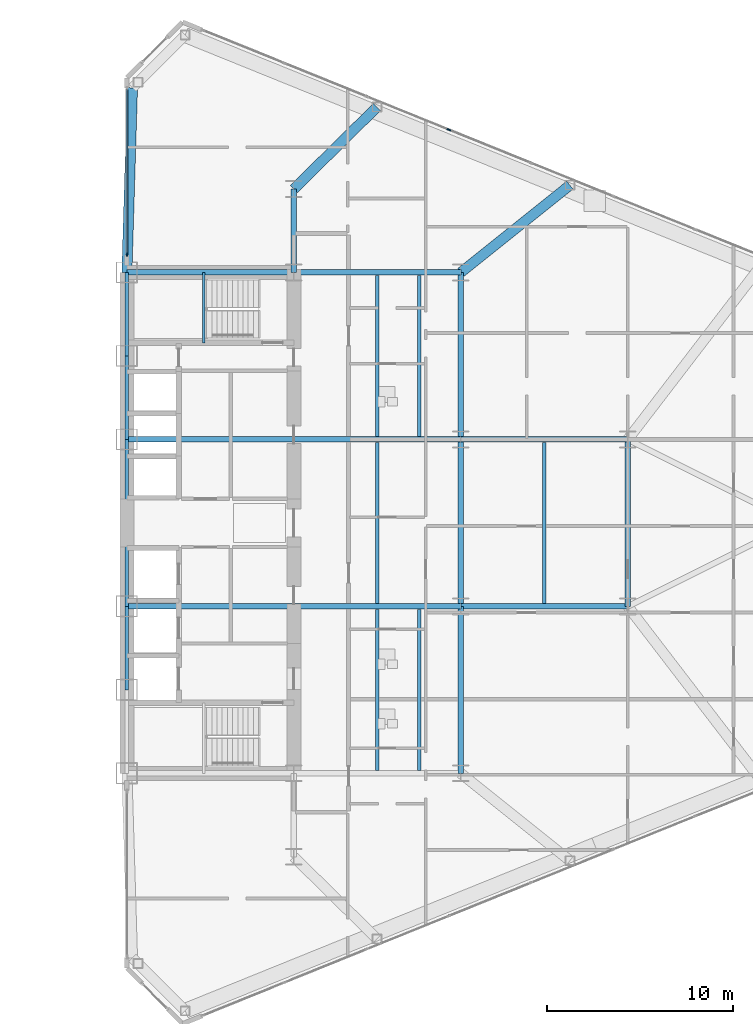
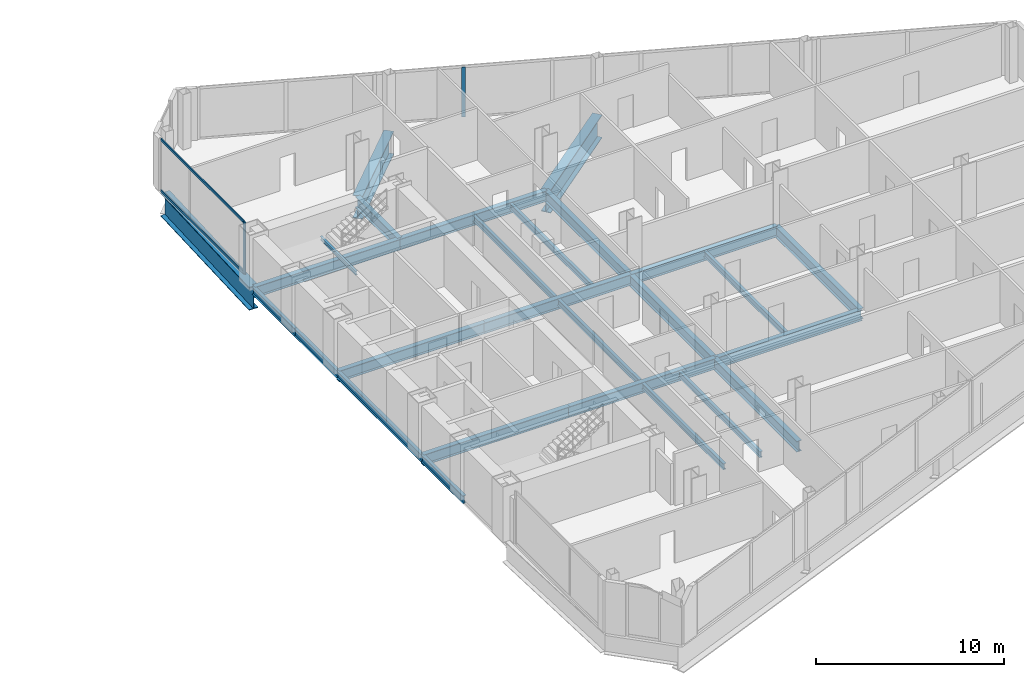
# One storey, part 12 of 26: 27 beams, 4 members, 2 elements without a shape of their own.
"""IFC4 building model written with IfcOpenShell, lengths in metres."""

from ifc_helpers import new_model, si_unit, direction, frame, origin, origin_2d, place, context, subcontext, project, spatial, rectangle, i_section, extrude, source, transform, mapped, material, layer, layer_set, material_profile, profile_set, type_object, type_shapes, element, aggregate, save


model = new_model("IFC4")

# Units and contexts
model_context = context("Model", 3, precision=1e-05, world=origin(), true_north=direction((0.0, 1.0)))
body_context = subcontext(model_context, "Body", "Model", "MODEL_VIEW")
ifc_project = project(units=[si_unit("LENGTHUNIT", "METRE"), si_unit("AREAUNIT", "SQUARE_METRE"), si_unit("VOLUMEUNIT", "CUBIC_METRE"), si_unit("PLANEANGLEUNIT", "RADIAN"), si_unit("MASSUNIT", "GRAM", prefix="KILO")], contexts=[model_context])

# Site, building, storey
site_placement = place(None, origin())
site = spatial("IfcSite", under=ifc_project, at=site_placement, CompositionType="ELEMENT")
building_placement = place(site_placement, origin())
building = spatial("IfcBuilding", under=site, at=building_placement, Name="Seokmaru Belvedere", CompositionType="ELEMENT")
storey_placement = place(building_placement, frame((0.0, 0.0, 18.89990234375)))
storey = spatial("IfcBuildingStorey", under=building, at=storey_placement, Name="L04", CompositionType="ELEMENT", Elevation=18.89990234375)

# Beams
ifc_material_1 = material(Name="Steel SM355 (355 MPa)", Category="steel")
ifc_material_profile_1 = material_profile(ifc_material_1, i_section(OverallWidth=0.199951171875, OverallDepth=0.5, WebThickness=0.010009765625, FlangeThickness=0.01611328125, at=origin_2d()), Name="H-500x200x10x16")
ifc_profile_set_1 = profile_set([ifc_material_profile_1], Name="Steel SM355 (355 MPa)")
beam_type_1 = type_object("IfcBeamType", Name="Perimeter Spandrel Beam H-500", PredefinedType="SPANDREL", material=ifc_profile_set_1)
shared_shape_1 = source(origin(), body_context, "Body", "SweptSolid", [
    extrude(i_section(OverallWidth=0.199951171875, OverallDepth=0.5, WebThickness=0.010009765625, FlangeThickness=0.01611328125, at=origin_2d()), origin(), (0.0, 0.0, 1.0), 4.5),
])
for number, where, z_axis, x_axis, name in (
    (1, (27.5, -9.0, -0.469970703125), (0.0, 1.0, 0.0), (-1.0, 0.0, 0.0), "L04 E Portal Spine Spandrel 2"),
    (2, (27.5, 4.5, -0.469970703125), (0.0, 1.0, 0.0), (-1.0, 0.0, 0.0), "L04 E Portal Spine Spandrel 4"),
    (3, (27.5, 9.0, -0.469970703125), (0.0, 1.0, 0.0), (-1.0, 0.0, 0.0), "L04 E Portal Spine Spandrel 5"),
):
    element("IfcBeam", number, at=place(storey_placement, frame(where, z_axis=z_axis, x_axis=x_axis)), inside=storey, type_object=beam_type_1, Name=name, PredefinedType="SPANDREL", context=body_context, shape_type="MappedRepresentation", body=[
        mapped(shared_shape_1, transform((0.0, 0.0, 0.0), scale=1.0)),
    ])
shared_shape_2 = source(origin(), body_context, "Body", "SweptSolid", [
    extrude(i_section(OverallWidth=0.199951171875, OverallDepth=0.5, WebThickness=0.010009765625, FlangeThickness=0.01611328125, at=origin_2d()), origin(), (0.0, 0.0, 1.0), 9.0),
])
type_shapes(beam_type_1, [shared_shape_1, shared_shape_2])
beam_1_placement = place(storey_placement, frame((27.5, -4.5, -0.469970703125), z_axis=(0.0, 1.0, 0.0), x_axis=(-1.0, 0.0, 0.0)))
element("IfcBeam", 4, at=beam_1_placement, inside=storey, type_object=beam_type_1, Name="L04 E Portal Spine Spandrel 3", PredefinedType="SPANDREL", context=body_context, shape_type="MappedRepresentation", body=[
    mapped(shared_shape_2, transform((0.0, 0.0, 0.0), scale=1.0)),
])
ifc_material_profile_2 = material_profile(ifc_material_1, i_section(OverallWidth=0.300048828125, OverallDepth=0.699951171875, WebThickness=0.012939453125, FlangeThickness=0.02392578125, at=origin_2d()), Name="H-700x300x13x24")
ifc_profile_set_2 = profile_set([ifc_material_profile_2], Name="Steel SM355 (355 MPa)")
beam_type_2 = type_object("IfcBeamType", Name="Primary Floor Girder H-700", PredefinedType="BEAM", material=ifc_profile_set_2)
shared_shape_3 = source(origin(), body_context, "Body", "SweptSolid", [
    extrude(i_section(OverallWidth=0.300048828125, OverallDepth=0.699951171875, WebThickness=0.012939453125, FlangeThickness=0.02392578125, at=origin_2d()), origin(), (0.0, 0.0, 1.0), 4.5),
])
beam_2_placement = place(storey_placement, frame((36.5, 13.5, -0.56982421875), z_axis=(0.0, 1.0, 0.0), x_axis=(-1.0, 0.0, 0.0)))
element("IfcBeam", 5, at=beam_2_placement, inside=storey, type_object=beam_type_2, Name="L04 E Core Shoulder Girder N", PredefinedType="BEAM", context=body_context, shape_type="MappedRepresentation", body=[
    mapped(shared_shape_3, transform((0.0, 0.0, 0.0), scale=1.0)),
])
shared_shape_4 = source(origin(), body_context, "Body", "SweptSolid", [
    extrude(i_section(OverallWidth=0.300048828125, OverallDepth=0.699951171875, WebThickness=0.012939453125, FlangeThickness=0.02392578125, at=origin_2d()), origin(), (0.0, 0.0, 1.0), 9.0),
])
type_shapes(beam_type_2, [shared_shape_3, shared_shape_4])
for number, where, z_axis, x_axis, name in (
    (6, (45.5, -13.5, -0.56982421875), (0.0, 1.0, 0.0), (-1.0, 0.0, 0.0), "L04 E Interior Grid Girder 1"),
    (7, (45.5, -4.5, -0.56982421875), (0.0, 1.0, 0.0), (-1.0, 0.0, 0.0), "L04 E Interior Grid Girder 2"),
    (8, (45.5, 4.5, -0.56982421875), (0.0, 1.0, 0.0), (-1.0, 0.0, 0.0), "L04 E Interior Grid Girder 3"),
    (9, (27.5, -4.5, -0.56982421875), (1.0, 0.0, 0.0), (0.0, 1.0, 0.0), "L04 E Core Tie Girder 2"),
    (10, (36.5, -4.5, -0.56982421875), (1.0, 0.0, 0.0), (0.0, 1.0, 0.0), "L04 E Wing Primary Girder 2"),
    (11, (27.5, 4.5, -0.56982421875), (1.0, 0.0, 0.0), (0.0, 1.0, 0.0), "L04 E Core Tie Girder 3"),
    (12, (36.5, 4.5, -0.56982421875), (1.0, 0.0, 0.0), (0.0, 1.0, 0.0), "L04 E Wing Primary Girder 3"),
    (13, (27.5, 13.5, -0.56982421875), (1.0, 0.0, 0.0), (0.0, 1.0, 0.0), "L04 E Core Tie Girder 4"),
    (14, (36.5, 13.5, -0.56982421875), (1.0, 0.0, 0.0), (0.0, 1.0, 0.0), "L04 E Wing Primary Girder 4"),
    (15, (45.5, -4.5, -0.56982421875), (1.0, 0.0, 0.0), (0.0, 1.0, 0.0), "L04 E Outer Wing Girder 1"),
    (16, (45.5, 4.5, -0.56982421875), (1.0, 0.0, 0.0), (0.0, 1.0, 0.0), "L04 E Outer Wing Girder 2"),
    (17, (54.5, -4.5, -0.56982421875), (0.0, 1.0, 0.0), (-1.0, 0.0, 0.0), "L04 E Apex Frame Girder"),
):
    element("IfcBeam", number, at=place(storey_placement, frame(where, z_axis=z_axis, x_axis=x_axis)), inside=storey, type_object=beam_type_2, Name=name, PredefinedType="BEAM", context=body_context, shape_type="MappedRepresentation", body=[
        mapped(shared_shape_4, transform((0.0, 0.0, 0.0), scale=1.0)),
    ])
ifc_material_profile_3 = material_profile(ifc_material_1, i_section(OverallWidth=0.18505859375, OverallDepth=0.389892578125, WebThickness=0.008056640625, FlangeThickness=0.011962890625, at=origin_2d()), Name="H-390x185x8x12")
ifc_profile_set_3 = profile_set([ifc_material_profile_3], Name="Steel SM355 (355 MPa)")
beam_type_3 = type_object("IfcBeamType", Name="Secondary Floor Joist H-350", PredefinedType="JOIST", material=ifc_profile_set_3)
shared_shape_5 = source(origin(), body_context, "Body", "SweptSolid", [
    extrude(i_section(OverallWidth=0.18505859375, OverallDepth=0.389892578125, WebThickness=0.008056640625, FlangeThickness=0.011962890625, at=origin_2d()), origin(), (0.0, 0.0, 1.0), 8.68994140625),
])
type_shapes(beam_type_3, [shared_shape_5])
for number, where, z_axis, x_axis, name in (
    (18, (43.25, -13.344970703125, -0.414794921875), (0.0, 1.0, 0.0), (-1.0, 0.0, 0.0), "L04 E Wing Inner Secondary Joist 1"),
    (19, (43.25, 4.655029296875, -0.414794921875), (0.0, 1.0, 0.0), (-1.0, 0.0, 0.0), "L04 E Wing Inner Secondary Joist 2"),
    (20, (41.0, -13.344970703125, -0.414794921875), (0.0, 1.0, 0.0), (-1.0, 0.0, 0.0), "L04 E Secondary Floor Joist 1"),
    (21, (41.0, -4.344970703125, -0.414794921875), (0.0, 1.0, 0.0), (-1.0, 0.0, 0.0), "L04 E Secondary Floor Joist 2"),
    (22, (41.0, 4.655029296875, -0.414794921875), (0.0, 1.0, 0.0), (-1.0, 0.0, 0.0), "L04 E Secondary Floor Joist 3"),
    (23, (50.0, -4.344970703125, -0.414794921875), (0.0, 1.0, 0.0), (-1.0, 0.0, 0.0), "L04 E Outer Bay Secondary Joist"),
):
    element("IfcBeam", number, at=place(storey_placement, frame(where, z_axis=z_axis, x_axis=x_axis)), inside=storey, type_object=beam_type_3, Name=name, PredefinedType="JOIST", context=body_context, shape_type="MappedRepresentation", body=[
        mapped(shared_shape_5, transform((0.0, 0.0, 0.0), scale=1.0)),
    ])
ifc_material_2 = material(Name="Steel HSA650 (650 MPa)", Category="steel")
ifc_material_profile_4 = material_profile(ifc_material_2, i_section(OverallWidth=0.550048828125, OverallDepth=1.5, WebThickness=0.028076171875, FlangeThickness=0.044921875, at=origin_2d()), Name="BH-1500x550x28x45")
ifc_profile_set_4 = profile_set([ifc_material_profile_4], Name="Steel HSA650 (650 MPa)")
beam_type_4 = type_object("IfcBeamType", Name="Setback Transfer Girder BH-1500", PredefinedType="BEAM", material=ifc_profile_set_4)
shared_shape_6 = source(origin(), body_context, "Body", "SweptSolid", [
    extrude(i_section(OverallWidth=0.550048828125, OverallDepth=1.5, WebThickness=0.028076171875, FlangeThickness=0.044921875, at=origin_2d()), origin(), (0.0, 0.0, 1.0), 9.9560546875),
])
beam_3_placement = place(storey_placement, frame((27.800048828125, 23.451416015625, -0.969970703125), z_axis=(-0.030137674137, -0.999545757131, 0.0), x_axis=(0.999545757131, -0.030137674137, 0.0)))
element("IfcBeam", 24, at=beam_3_placement, inside=storey, type_object=beam_type_4, Name="L04 E Podium Spine Transfer Tie N", PredefinedType="BEAM", context=body_context, shape_type="MappedRepresentation", body=[
    mapped(shared_shape_6, transform((0.0, 0.0, 0.0), scale=1.0)),
])
shared_shape_7 = source(origin(), body_context, "Body", "SweptSolid", [
    extrude(i_section(OverallWidth=0.550048828125, OverallDepth=1.5, WebThickness=0.028076171875, FlangeThickness=0.044921875, at=origin_2d()), origin(), (0.0, 0.0, 1.0), 6.287353515625),
])
beam_4_placement = place(storey_placement, frame((40.977294921875, 22.4140625, -0.969970703125), z_axis=(-0.712117485263, -0.702060315915, 0.0), x_axis=(0.702060315915, -0.712117485263, 0.0)))
element("IfcBeam", 25, at=beam_4_placement, inside=storey, type_object=beam_type_4, Name="L04 E Flank Radial Floor Girder N-1", PredefinedType="BEAM", context=body_context, shape_type="MappedRepresentation", body=[
    mapped(shared_shape_7, transform((0.0, 0.0, 0.0), scale=1.0)),
])
shared_shape_8 = source(origin(), body_context, "Body", "SweptSolid", [
    extrude(i_section(OverallWidth=0.550048828125, OverallDepth=1.5, WebThickness=0.028076171875, FlangeThickness=0.044921875, at=origin_2d()), origin(), (0.0, 0.0, 1.0), 7.52880859375),
])
type_shapes(beam_type_4, [shared_shape_6, shared_shape_7, shared_shape_8])
beam_5_placement = place(storey_placement, frame((51.378173828125, 18.2041015625, -0.969970703125), z_axis=(-0.780767560736, -0.624821587418, 0.0), x_axis=(0.624821587418, -0.780767560736, 0.0)))
element("IfcBeam", 26, at=beam_5_placement, inside=storey, type_object=beam_type_4, Name="L04 E Flank Radial Floor Girder N-2", PredefinedType="BEAM", context=body_context, shape_type="MappedRepresentation", body=[
    mapped(shared_shape_8, transform((0.0, 0.0, 0.0), scale=1.0)),
])

# Curtain wall, members
ifc_material_3 = material(Name="Bronze Triple Insulating Glass", Category="glass")
ifc_layer = layer(ifc_material_3, 0.2099609375)
ifc_layer_set = layer_set([ifc_layer], Name="Bronze Triple Insulating Glass")
curtain_wall_type = type_object("IfcCurtainWallType", Name="Low-Rise Faceted Crystal Curtain Wall System CW-2", PredefinedType="NOTDEFINED", material=ifc_layer_set)
curtain_wall_1_placement = place(storey_placement, origin())
curtain_wall_1 = element("IfcCurtainWall", 27, at=curtain_wall_1_placement, inside=storey, type_object=curtain_wall_type, Name="L04 Curtain Wall ESP_2", PredefinedType="NOTDEFINED")
ifc_material_4 = material(Name="Anodised Bronze Aluminium", Category="aluminium")
ifc_material_profile_5 = material_profile(ifc_material_4, rectangle(XDim=0.074951171875, YDim=0.2099609375, at=origin_2d()), Name="CW-M-75x210")
ifc_profile_set_5 = profile_set([ifc_material_profile_5], Name="Anodised Bronze Aluminium")
member_type_1 = type_object("IfcMemberType", Name="Bronze Unitised Mullion 75x210", PredefinedType="MULLION", material=ifc_profile_set_5)
shared_shape_9 = source(origin(), body_context, "Body", "SweptSolid", [
    extrude(rectangle(XDim=0.074951171875, YDim=0.2099609375, at=origin_2d()), origin(), (0.0, 0.0, 1.0), 3.380126953125),
])
member_1_placement = place(storey_placement, frame((27.5, 14.467529296875, 0.0), z_axis=(0.0, 0.0, 1.0), x_axis=(1.0, 0.0, 0.0)))
member_1 = element("IfcMember", 28, at=member_1_placement, type_object=member_type_1, Name="CW:L04:ESP_2 Mullion 2", PredefinedType="MULLION", context=body_context, shape_type="MappedRepresentation", body=[
    mapped(shared_shape_9, transform((0.0, 0.0, 0.0), scale=1.0)),
])
ifc_material_profile_6 = material_profile(ifc_material_4, rectangle(XDim=0.070068359375, YDim=0.1650390625, at=origin_2d()), Name="CW-T-70x165")
ifc_profile_set_6 = profile_set([ifc_material_profile_6], Name="Anodised Bronze Aluminium")
member_type_2 = type_object("IfcMemberType", Name="Bronze Unitised Transom 70x165", PredefinedType="USERDEFINED", material=ifc_profile_set_6)
shared_shape_10 = source(origin(), body_context, "Body", "SweptSolid", [
    extrude(rectangle(XDim=0.070068359375, YDim=0.1650390625, at=origin_2d()), origin(), (0.0, 0.0, 1.0), 8.85009765625),
])
type_shapes(member_type_2, [shared_shape_10])
member_2_placement = place(storey_placement, frame((27.5, 23.35498046875, 0.03515625), z_axis=(0.0, -1.0, 0.0), x_axis=(1.0, 0.0, 0.0)))
member_2 = element("IfcMember", 29, at=member_2_placement, type_object=member_type_2, Name="CW:L04:ESP_2 Continuous Transom 1", ObjectType="TRANSOM", PredefinedType="USERDEFINED", context=body_context, shape_type="MappedRepresentation", body=[
    mapped(shared_shape_10, transform((0.0, 0.0, 0.0), scale=1.0)),
])
member_3_placement = place(storey_placement, frame((27.5, 23.35498046875, 3.34521484375), z_axis=(0.0, -1.0, 0.0), x_axis=(1.0, 0.0, 0.0)))
member_3 = element("IfcMember", 30, at=member_3_placement, type_object=member_type_2, Name="CW:L04:ESP_2 Continuous Transom 2", ObjectType="TRANSOM", PredefinedType="USERDEFINED", context=body_context, shape_type="MappedRepresentation", body=[
    mapped(shared_shape_10, transform((0.0, 0.0, 0.0), scale=1.0)),
])
aggregate(curtain_wall_1, [member_1, member_2, member_3])

# Curtain wall, member
curtain_wall_2_placement = place(storey_placement, origin())
curtain_wall_2 = element("IfcCurtainWall", 31, at=curtain_wall_2_placement, inside=storey, type_object=curtain_wall_type, Name="L04 Curtain Wall EF3", PredefinedType="NOTDEFINED")
shared_shape_11 = source(origin(), body_context, "Body", "SweptSolid", [
    extrude(rectangle(XDim=0.074951171875, YDim=0.2099609375, at=origin_2d()), origin(), (0.0, 0.0, 1.0), 3.239990234375),
])
type_shapes(member_type_1, [shared_shape_9, shared_shape_11])
member_4_placement = place(storey_placement, frame((44.855224609375, 21.189453125, 0.070068359375), z_axis=(0.0, 0.0, 1.0), x_axis=(-0.375192321888, -0.926946989637, 0.0)))
member_4 = element("IfcMember", 32, at=member_4_placement, type_object=member_type_1, Name="CW:L04:EF3 Mullion 7", PredefinedType="MULLION", context=body_context, shape_type="MappedRepresentation", body=[
    mapped(shared_shape_11, transform((0.0, 0.0, 0.0), scale=1.0)),
])
aggregate(curtain_wall_2, [member_4])

# Beam
ifc_material_profile_7 = material_profile(ifc_material_1, i_section(OverallWidth=0.125, OverallDepth=0.25, WebThickness=0.006103515625, FlangeThickness=0.009033203125, at=origin_2d()), Name="H-250x125x6x9")
ifc_profile_set_7 = profile_set([ifc_material_profile_7], Name="Steel SM355 (355 MPa)")
beam_type_5 = type_object("IfcBeamType", Name="Stair Mid-Landing Support Beam H-250", PredefinedType="JOIST", material=ifc_profile_set_7)
shared_shape_12 = source(origin(), body_context, "Body", "SweptSolid", [
    extrude(i_section(OverallWidth=0.125, OverallDepth=0.25, WebThickness=0.006103515625, FlangeThickness=0.009033203125, at=origin_2d()), origin(), (0.0, 0.0, 1.0), 3.800048828125),
])
type_shapes(beam_type_5, [shared_shape_12])
beam_6_placement = place(storey_placement, frame((31.64990234375, 9.699951171875, 1.47509765625), z_axis=(0.0, 1.0, 0.0), x_axis=(-1.0, 0.0, 0.0)))
element("IfcBeam", 33, at=beam_6_placement, inside=storey, type_object=beam_type_5, Name="L04 Stair ST-E2 Mid-Landing Support Beam 1", PredefinedType="JOIST", context=body_context, shape_type="MappedRepresentation", body=[
    mapped(shared_shape_12, transform((0.0, 0.0, 0.0), scale=1.0)),
])

save(model, "model.ifc")
